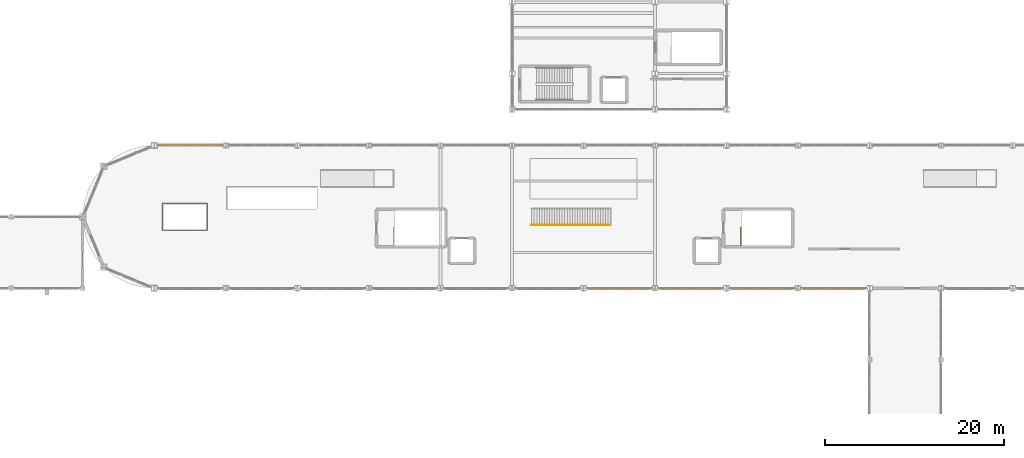
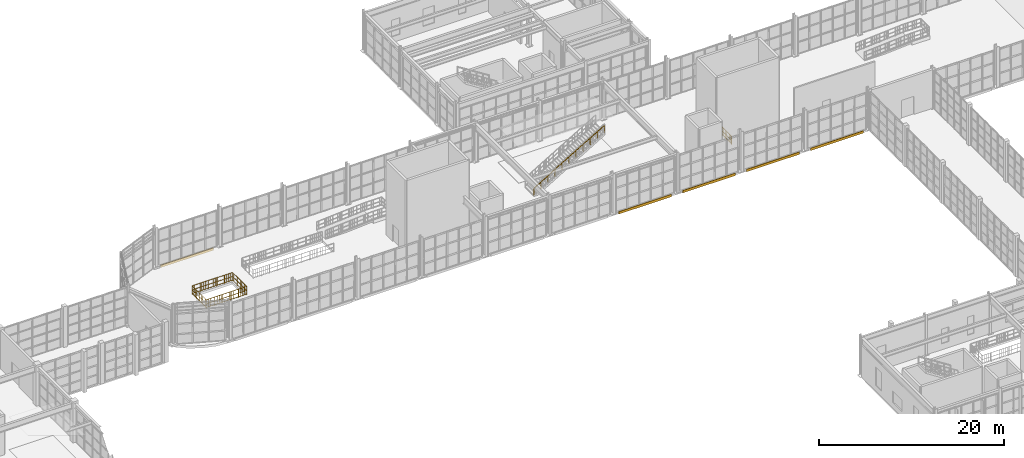
# One storey, part 78 of 82: 5 coverings, 3 railings.
"""IFC4 building model written with IfcOpenShell, lengths in metres."""

import ifcopenshell
import ifcopenshell.guid

model = None  # the IFC model being written
_history = None  # IfcOwnerHistory: only IFC2X3 demands one
_inside = {}  # id of a spatial element -> (the spatial element, [elements in it])
_under = {}  # id of a project, library or spatial element -> (it, [spatial elements below it])
_declared = {}  # id of a project -> (the project, [libraries it declares])
_typed = {}  # id of a type object -> (the type object, [elements of that type])
_made_of = {}  # id of a material, layer set ... -> (it, [elements and type objects made of it])


def new_model(schema):
    """Start an empty IFC model of exactly this schema.

    Asked for "IFC4X3", IfcOpenShell would pick the latest addendum, in which some entities
    have other attributes; the version numbers below select the first issue.
    IFC2X3 requires an IfcOwnerHistory on every rooted entity: one is made here for all.
    """
    global model, _history
    if schema == "IFC4X3":
        model = ifcopenshell.file(schema_version=(4, 3, 0, 0))
    else:
        model = ifcopenshell.file(schema=schema)
    _inside.clear()
    _under.clear()
    _declared.clear()
    _typed.clear()
    _made_of.clear()
    _history = None
    if model.schema == "IFC2X3":
        org = make("IfcOrganization", Name="unknown")
        user = make(
            "IfcPersonAndOrganization",
            ThePerson=make("IfcPerson", FamilyName="unknown"),
            TheOrganization=org,
        )
        app = make(
            "IfcApplication",
            ApplicationDeveloper=org,
            Version="unknown",
            ApplicationFullName="unknown",
            ApplicationIdentifier="unknown",
        )
        _history = make(
            "IfcOwnerHistory",
            OwningUser=user,
            OwningApplication=app,
            ChangeAction="ADDED",
            CreationDate=0,
        )
    return model


def make(cls, **values):
    """One entity of the class cls with the attributes given. An attribute that is None is left unset."""
    return model.create_entity(
        cls, **{name: value for name, value in values.items() if value is not None}
    )


def rooted(cls, **values):
    """An entity with a GlobalId (a new one), such as an element, a storey or a relation."""
    return make(cls, GlobalId=ifcopenshell.guid.new(), OwnerHistory=_history, **values)


def si_unit(unit_type, name, prefix=None):
    """IfcSIUnit, for example si_unit("LENGTHUNIT", "METRE", prefix="MILLI")."""
    return make("IfcSIUnit", UnitType=unit_type, Prefix=prefix, Name=name)


def assignment(units):
    """IfcUnitAssignment: the units of a project."""
    return None if units is None else make("IfcUnitAssignment", Units=units)


def point(xyz):
    """IfcCartesianPoint."""
    return None if xyz is None else make("IfcCartesianPoint", Coordinates=xyz)


def direction(xyz):
    """IfcDirection."""
    return None if xyz is None else make("IfcDirection", DirectionRatios=xyz)


def frame(location, z_axis=None, x_axis=None):
    """IfcAxis2Placement3D, a coordinate frame: its origin and axes. An axis left out is left unset."""
    return make(
        "IfcAxis2Placement3D",
        Location=point(location),
        Axis=direction(z_axis),
        RefDirection=direction(x_axis),
    )


def frame_2d(location, x_axis=None):
    """IfcAxis2Placement2D, a coordinate frame in the plane: its origin and x axis."""
    return make(
        "IfcAxis2Placement2D", Location=point(location), RefDirection=direction(x_axis)
    )


def origin():
    """The frame at (0, 0, 0) with its axes left unset."""
    return frame((0.0, 0.0, 0.0))


def origin_2d():
    """The frame at (0, 0) in the plane with its x axis left unset."""
    return frame_2d((0.0, 0.0))


def place(relative_to, where):
    """IfcLocalPlacement: puts the frame where relative to a parent placement (None: the world)."""
    return make(
        "IfcLocalPlacement", PlacementRelTo=relative_to, RelativePlacement=where
    )


def context(
    kind, dimensions, precision=None, world=None, true_north=None, identifier=None
):
    """IfcGeometricRepresentationContext, for example the 3D "Model" context."""
    return make(
        "IfcGeometricRepresentationContext",
        ContextIdentifier=identifier,
        ContextType=kind,
        CoordinateSpaceDimension=dimensions,
        Precision=precision,
        WorldCoordinateSystem=world,
        TrueNorth=true_north,
    )


def subcontext(parent, identifier, kind, view, scale=None):
    """IfcGeometricRepresentationSubContext, for example "Body" below "Model"."""
    return make(
        "IfcGeometricRepresentationSubContext",
        ContextIdentifier=identifier,
        ContextType=kind,
        ParentContext=parent,
        TargetScale=scale,
        TargetView=view,
    )


def project(units=None, contexts=None):
    """IfcProject with its units and contexts."""
    return rooted(
        "IfcProject",
        Name="project",
        RepresentationContexts=contexts,
        UnitsInContext=assignment(units),
    )


def spatial(cls, under=None, at=None, **own):
    """A site, building, storey or space (cls), placed at a placement, below another one or the project."""
    s = rooted(cls, ObjectPlacement=at, **own)
    if under is not None:
        _under.setdefault(under.id(), (under, []))[1].append(s)
    return s


def profile(cls, at=None, kind="AREA", **sizes):
    """A parametric profile (cls). Its sizes go by their IFC names, for example OverallWidth=200.0."""
    return make(cls, ProfileType=kind, Position=at, **sizes)


def rectangle(**sizes):
    """IfcRectangleProfileDef."""
    return profile("IfcRectangleProfileDef", **sizes)


def extrude(swept, where, along, depth):
    """IfcExtrudedAreaSolid: the profile swept, set in the frame where, extruded along a direction by depth."""
    return make(
        "IfcExtrudedAreaSolid",
        SweptArea=swept,
        Position=where,
        ExtrudedDirection=direction(along),
        Depth=depth,
    )


def shape(context_of_items, identifier, shape_type, items):
    """IfcShapeRepresentation: the items that make up one representation, for example the "Body"."""
    return make(
        "IfcShapeRepresentation",
        ContextOfItems=context_of_items,
        RepresentationIdentifier=identifier,
        RepresentationType=shape_type,
        Items=items,
    )


def material(Name=None, Category=None):
    """IfcMaterial."""
    return make("IfcMaterial", Name=Name, Category=Category)


def layer(
    of_material, thickness, ventilated=None, Name=None, Category=None, Priority=None
):
    """IfcMaterialLayer: one layer of a wall or slab, of a material (None: an air gap)."""
    return make(
        "IfcMaterialLayer",
        Material=of_material,
        LayerThickness=thickness,
        IsVentilated=ventilated,
        Name=Name,
        Category=Category,
        Priority=Priority,
    )


def layer_set(layers, Name=None):
    """IfcMaterialLayerSet."""
    return make("IfcMaterialLayerSet", MaterialLayers=layers, LayerSetName=Name)


def made_of(thing, what):
    """Note that an element or type object is made of a material, layer set ...; save() writes the relation."""
    if what is not None:
        _made_of.setdefault(what.id(), (what, []))[1].append(thing)
    return thing


def type_object(cls, material=None, **own):
    """A type object (cls), such as IfcWallType, which elements share."""
    return made_of(rooted(cls, **own), material)


def element(
    cls,
    number,
    at=None,
    inside=None,
    cuts=None,
    type_object=None,
    material=None,
    context=None,
    identifier="Body",
    shape_type=None,
    held_by="IfcProductDefinitionShape",
    body=None,
    shapes=None,
    **own,
):
    """One element of the class cls, such as IfcWall. Its Tag is "e" and its number.

    at: its placement. inside: the storey or other place that contains it. cuts: it is an
    opening in that element (IfcRelVoidsElement). A single representation is given by context,
    identifier, shape_type and body (its items); several are given by shapes. held_by: the class
    of the entity that holds the representations. save() writes the other relations.
    """
    e = rooted(cls, Tag="e%d" % number, ObjectPlacement=at, **own)
    if body is not None:
        shapes = [shape(context, identifier, shape_type, body)]
    if shapes is not None:
        e.Representation = make(held_by, Representations=shapes)
    if inside is not None:
        _inside.setdefault(inside.id(), (inside, []))[1].append(e)
    if cuts is not None:
        rooted(
            "IfcRelVoidsElement", RelatingBuildingElement=cuts, RelatedOpeningElement=e
        )
    if type_object is not None:
        _typed.setdefault(type_object.id(), (type_object, []))[1].append(e)
    return made_of(e, material)


def aggregate(whole, parts):
    """IfcRelAggregates: a whole, such as a stair, and the parts it consists of."""
    return rooted("IfcRelAggregates", RelatingObject=whole, RelatedObjects=parts)


def save(model, path):
    """Write the relations noted so far, then the file.

    IfcRelAggregates (storeys below a building ...), IfcRelContainedInSpatialStructure (elements
    in a storey), IfcRelDefinesByType, IfcRelAssociatesMaterial and IfcRelDeclares: one each for
    every whole, place, type object, material and project.
    """
    for whole, parts in _under.values():
        aggregate(whole, parts)
    for where, things in _inside.values():
        rooted(
            "IfcRelContainedInSpatialStructure",
            RelatedElements=things,
            RelatingStructure=where,
        )
    for kind, things in _typed.values():
        rooted("IfcRelDefinesByType", RelatedObjects=things, RelatingType=kind)
    for what, things in _made_of.values():
        rooted("IfcRelAssociatesMaterial", RelatedObjects=things, RelatingMaterial=what)
    for by, libraries in _declared.values():
        rooted("IfcRelDeclares", RelatingContext=by, RelatedDefinitions=libraries)
    model.write(path)


model = new_model("IFC4")

# Units and contexts
model_context = context("Model", 3, precision=1e-05, world=origin(), true_north=direction((0.0, 1.0)))
body_context = subcontext(model_context, "Body", "Model", "MODEL_VIEW")
ifc_project = project(units=[si_unit("LENGTHUNIT", "METRE"), si_unit("AREAUNIT", "SQUARE_METRE"), si_unit("VOLUMEUNIT", "CUBIC_METRE"), si_unit("PLANEANGLEUNIT", "RADIAN"), si_unit("MASSUNIT", "GRAM", prefix="KILO")], contexts=[model_context])

# Site, building, storey
site_placement = place(None, origin())
site = spatial("IfcSite", under=ifc_project, at=site_placement, CompositionType="ELEMENT")
building_placement = place(site_placement, origin())
building = spatial("IfcBuilding", under=site, at=building_placement, Name="Serraluz Foothill Cableway Terminal", CompositionType="ELEMENT")
storey_placement = place(building_placement, frame((0.0, 0.0, 9.60009765625)))
storey = spatial("IfcBuildingStorey", under=building, at=storey_placement, Name="L02", CompositionType="ELEMENT", Elevation=9.60009765625)

# Coverings
ifc_material_1 = material(Name="Fired clay masonry brick (f'm 12 MPa)", Category="masonry")
ifc_layer_1 = layer(ifc_material_1, 0.090087890625, Name="Fired clay masonry brick (f'm 12 MPa)", Category="masonry")
ifc_layer_set_1 = layer_set([ifc_layer_1], Name="Fired clay masonry brick (f'm 12 MPa)")
covering_type = type_object("IfcCoveringType", Name="TYP-COV-CLAD-90", PredefinedType="CLADDING", material=ifc_layer_set_1)
for number, where, z_axis, x_axis, name in (
    (1, (92.0, 55.969970703125, -0.3203125), (0.0, 0.0, 1.0), (1.0, 0.0, 0.0), "Terracotta Spandrel Relief Band COV-CLAD-V1S-7"),
    (2, (100.0, 55.969970703125, -0.3203125), (0.0, 0.0, 1.0), (1.0, 0.0, 0.0), "Terracotta Spandrel Relief Band COV-CLAD-V1S-8"),
    (3, (108.0, 55.969970703125, -0.3203125), (0.0, 0.0, 1.0), (1.0, 0.0, 0.0), "Terracotta Spandrel Relief Band COV-CLAD-V1S-9"),
    (4, (116.0, 55.969970703125, -0.3203125), (0.0, 0.0, 1.0), (1.0, 0.0, 0.0), "Terracotta Spandrel Relief Band COV-CLAD-V1S-10"),
    (5, (44.0, 72.030029296875, -0.3203125), (0.0, 0.0, 1.0), (1.0, 0.0, 0.0), "Terracotta Spandrel Relief Band COV-CLAD-V1N-1"),
):
    element("IfcCovering", number, at=place(storey_placement, frame(where, z_axis=z_axis, x_axis=x_axis)), inside=storey, type_object=covering_type, Name=name, PredefinedType="CLADDING", context=body_context, shape_type="SweptSolid", body=[
        extrude(rectangle(XDim=6.60009765625, YDim=0.090087890625, at=origin_2d()), origin(), (0.0, 0.0, 1.0), 0.320068359375),
    ])

# Railings
ifc_material_2 = material(Name="Steel ASTM A572 Grade 50", Category="steel")
ifc_layer_2 = layer(ifc_material_2, 0.054931640625, Name="Steel ASTM A572 Grade 50", Category="steel")
ifc_layer_set_2 = layer_set([ifc_layer_2], Name="Steel ASTM A572 Grade 50")
railing_type_1 = type_object("IfcRailingType", Name="TYP-RL-GRD-1150", PredefinedType="GUARDRAIL", material=ifc_layer_set_2)
railing_1_placement = place(storey_placement, frame((40.8798828125, 62.47998046875, 0.0)))
element("IfcRailing", 6, at=railing_1_placement, inside=storey, type_object=railing_type_1, Name="GUARDRAIL GRD-L02-SLOT1", PredefinedType="GUARDRAIL", context=body_context, shape_type="SweptSolid", body=[
    extrude(rectangle(XDim=0.048095703125, YDim=0.048095703125, at=origin_2d()), frame((0.0, 0.0, 1.1259765625), z_axis=(1.0, 0.0, 0.0), x_axis=(0.0, 1.0, 0.0)), (0.0, 0.0, 1.0), 5.0400390625),
    extrude(rectangle(XDim=0.048095703125, YDim=0.048095703125, at=origin_2d()), frame((0.0, 0.0, 0.597900390625), z_axis=(1.0, 0.0, 0.0), x_axis=(0.0, 1.0, 0.0)), (0.0, 0.0, 1.0), 5.0400390625),
    extrude(rectangle(XDim=0.048095703125, YDim=0.048095703125, at=origin_2d()), frame((0.0, 0.0, 0.1201171875), z_axis=(1.0, 0.0, 0.0), x_axis=(0.0, 1.0, 0.0)), (0.0, 0.0, 1.0), 5.0400390625),
    extrude(rectangle(XDim=0.02001953125, YDim=0.02001953125, at=origin_2d()), frame((0.239990234375, 0.0, 0.1201171875)), (0.0, 0.0, 1.0), 0.981689453125),
    extrude(rectangle(XDim=0.02001953125, YDim=0.02001953125, at=origin_2d()), frame((0.47998046875, 0.0, 0.1201171875)), (0.0, 0.0, 1.0), 0.981689453125),
    extrude(rectangle(XDim=0.02001953125, YDim=0.02001953125, at=origin_2d()), frame((0.719970703125, 0.0, 0.1201171875)), (0.0, 0.0, 1.0), 0.981689453125),
    extrude(rectangle(XDim=0.02001953125, YDim=0.02001953125, at=origin_2d()), frame((1.199951171875, 0.0, 0.1201171875)), (0.0, 0.0, 1.0), 0.981689453125),
    extrude(rectangle(XDim=0.02001953125, YDim=0.02001953125, at=origin_2d()), frame((1.43994140625, 0.0, 0.1201171875)), (0.0, 0.0, 1.0), 0.981689453125),
    extrude(rectangle(XDim=0.02001953125, YDim=0.02001953125, at=origin_2d()), frame((1.679931640625, 0.0, 0.1201171875)), (0.0, 0.0, 1.0), 0.981689453125),
    extrude(rectangle(XDim=0.02001953125, YDim=0.02001953125, at=origin_2d()), frame((1.919921875, 0.0, 0.1201171875)), (0.0, 0.0, 1.0), 0.981689453125),
    extrude(rectangle(XDim=0.02001953125, YDim=0.02001953125, at=origin_2d()), frame((2.159912109375, 0.0, 0.1201171875)), (0.0, 0.0, 1.0), 0.981689453125),
    extrude(rectangle(XDim=0.02001953125, YDim=0.02001953125, at=origin_2d()), frame((2.39990234375, 0.0, 0.1201171875)), (0.0, 0.0, 1.0), 0.981689453125),
    extrude(rectangle(XDim=0.02001953125, YDim=0.02001953125, at=origin_2d()), frame((2.64013671875, 0.0, 0.1201171875)), (0.0, 0.0, 1.0), 0.981689453125),
    extrude(rectangle(XDim=0.02001953125, YDim=0.02001953125, at=origin_2d()), frame((2.880126953125, 0.0, 0.1201171875)), (0.0, 0.0, 1.0), 0.981689453125),
    extrude(rectangle(XDim=0.02001953125, YDim=0.02001953125, at=origin_2d()), frame((3.1201171875, 0.0, 0.1201171875)), (0.0, 0.0, 1.0), 0.981689453125),
    extrude(rectangle(XDim=0.02001953125, YDim=0.02001953125, at=origin_2d()), frame((3.360107421875, 0.0, 0.1201171875)), (0.0, 0.0, 1.0), 0.981689453125),
    extrude(rectangle(XDim=0.02001953125, YDim=0.02001953125, at=origin_2d()), frame((3.60009765625, 0.0, 0.1201171875)), (0.0, 0.0, 1.0), 0.981689453125),
    extrude(rectangle(XDim=0.02001953125, YDim=0.02001953125, at=origin_2d()), frame((3.840087890625, 0.0, 0.1201171875)), (0.0, 0.0, 1.0), 0.981689453125),
    extrude(rectangle(XDim=0.02001953125, YDim=0.02001953125, at=origin_2d()), frame((4.320068359375, 0.0, 0.1201171875)), (0.0, 0.0, 1.0), 0.981689453125),
    extrude(rectangle(XDim=0.02001953125, YDim=0.02001953125, at=origin_2d()), frame((4.56005859375, 0.0, 0.1201171875)), (0.0, 0.0, 1.0), 0.981689453125),
    extrude(rectangle(XDim=0.02001953125, YDim=0.02001953125, at=origin_2d()), frame((4.800048828125, 0.0, 0.1201171875)), (0.0, 0.0, 1.0), 0.981689453125),
    extrude(rectangle(XDim=0.048095703125, YDim=0.048095703125, at=origin_2d()), frame((5.0400390625, 0.0, 1.1259765625), z_axis=(0.0, 1.0, 0.0), x_axis=(-1.0, 0.0, 0.0)), (0.0, 0.0, 1.0), 3.0400390625),
    extrude(rectangle(XDim=0.048095703125, YDim=0.048095703125, at=origin_2d()), frame((5.0400390625, 0.0, 0.597900390625), z_axis=(0.0, 1.0, 0.0), x_axis=(-1.0, 0.0, 0.0)), (0.0, 0.0, 1.0), 3.0400390625),
    extrude(rectangle(XDim=0.048095703125, YDim=0.048095703125, at=origin_2d()), frame((5.0400390625, 0.0, 0.1201171875), z_axis=(0.0, 1.0, 0.0), x_axis=(-1.0, 0.0, 0.0)), (0.0, 0.0, 1.0), 3.0400390625),
    extrude(rectangle(XDim=0.02001953125, YDim=0.02001953125, at=origin_2d()), frame((5.0400390625, 0.25341796875, 0.1201171875)), (0.0, 0.0, 1.0), 0.981689453125),
    extrude(rectangle(XDim=0.02001953125, YDim=0.02001953125, at=origin_2d()), frame((5.0400390625, 0.506591796875, 0.1201171875)), (0.0, 0.0, 1.0), 0.981689453125),
    extrude(rectangle(XDim=0.02001953125, YDim=0.02001953125, at=origin_2d()), frame((5.0400390625, 0.760009765625, 0.1201171875)), (0.0, 0.0, 1.0), 0.981689453125),
    extrude(rectangle(XDim=0.02001953125, YDim=0.02001953125, at=origin_2d()), frame((5.0400390625, 1.2666015625, 0.1201171875)), (0.0, 0.0, 1.0), 0.981689453125),
    extrude(rectangle(XDim=0.02001953125, YDim=0.02001953125, at=origin_2d()), frame((5.0400390625, 1.52001953125, 0.1201171875)), (0.0, 0.0, 1.0), 0.981689453125),
    extrude(rectangle(XDim=0.02001953125, YDim=0.02001953125, at=origin_2d()), frame((5.0400390625, 1.7734375, 0.1201171875)), (0.0, 0.0, 1.0), 0.981689453125),
    extrude(rectangle(XDim=0.02001953125, YDim=0.02001953125, at=origin_2d()), frame((5.0400390625, 2.280029296875, 0.1201171875)), (0.0, 0.0, 1.0), 0.981689453125),
    extrude(rectangle(XDim=0.02001953125, YDim=0.02001953125, at=origin_2d()), frame((5.0400390625, 2.533447265625, 0.1201171875)), (0.0, 0.0, 1.0), 0.981689453125),
    extrude(rectangle(XDim=0.02001953125, YDim=0.02001953125, at=origin_2d()), frame((5.0400390625, 2.78662109375, 0.1201171875)), (0.0, 0.0, 1.0), 0.981689453125),
    extrude(rectangle(XDim=0.048095703125, YDim=0.048095703125, at=origin_2d()), frame((5.0400390625, 3.0400390625, 1.1259765625), z_axis=(-1.0, 0.0, 0.0), x_axis=(0.0, -1.0, 0.0)), (0.0, 0.0, 1.0), 5.0400390625),
    extrude(rectangle(XDim=0.048095703125, YDim=0.048095703125, at=origin_2d()), frame((5.0400390625, 3.0400390625, 0.597900390625), z_axis=(-1.0, 0.0, 0.0), x_axis=(0.0, -1.0, 0.0)), (0.0, 0.0, 1.0), 5.0400390625),
    extrude(rectangle(XDim=0.048095703125, YDim=0.048095703125, at=origin_2d()), frame((5.0400390625, 3.0400390625, 0.1201171875), z_axis=(-1.0, 0.0, 0.0), x_axis=(0.0, -1.0, 0.0)), (0.0, 0.0, 1.0), 5.0400390625),
    extrude(rectangle(XDim=0.02001953125, YDim=0.02001953125, at=origin_2d()), frame((4.800048828125, 3.0400390625, 0.1201171875)), (0.0, 0.0, 1.0), 0.981689453125),
    extrude(rectangle(XDim=0.02001953125, YDim=0.02001953125, at=origin_2d()), frame((4.56005859375, 3.0400390625, 0.1201171875)), (0.0, 0.0, 1.0), 0.981689453125),
    extrude(rectangle(XDim=0.02001953125, YDim=0.02001953125, at=origin_2d()), frame((4.320068359375, 3.0400390625, 0.1201171875)), (0.0, 0.0, 1.0), 0.981689453125),
    extrude(rectangle(XDim=0.02001953125, YDim=0.02001953125, at=origin_2d()), frame((3.840087890625, 3.0400390625, 0.1201171875)), (0.0, 0.0, 1.0), 0.981689453125),
    extrude(rectangle(XDim=0.02001953125, YDim=0.02001953125, at=origin_2d()), frame((3.60009765625, 3.0400390625, 0.1201171875)), (0.0, 0.0, 1.0), 0.981689453125),
    extrude(rectangle(XDim=0.02001953125, YDim=0.02001953125, at=origin_2d()), frame((3.360107421875, 3.0400390625, 0.1201171875)), (0.0, 0.0, 1.0), 0.981689453125),
    extrude(rectangle(XDim=0.02001953125, YDim=0.02001953125, at=origin_2d()), frame((3.1201171875, 3.0400390625, 0.1201171875)), (0.0, 0.0, 1.0), 0.981689453125),
    extrude(rectangle(XDim=0.02001953125, YDim=0.02001953125, at=origin_2d()), frame((2.880126953125, 3.0400390625, 0.1201171875)), (0.0, 0.0, 1.0), 0.981689453125),
    extrude(rectangle(XDim=0.02001953125, YDim=0.02001953125, at=origin_2d()), frame((2.64013671875, 3.0400390625, 0.1201171875)), (0.0, 0.0, 1.0), 0.981689453125),
    extrude(rectangle(XDim=0.02001953125, YDim=0.02001953125, at=origin_2d()), frame((2.39990234375, 3.0400390625, 0.1201171875)), (0.0, 0.0, 1.0), 0.981689453125),
    extrude(rectangle(XDim=0.02001953125, YDim=0.02001953125, at=origin_2d()), frame((2.159912109375, 3.0400390625, 0.1201171875)), (0.0, 0.0, 1.0), 0.981689453125),
    extrude(rectangle(XDim=0.02001953125, YDim=0.02001953125, at=origin_2d()), frame((1.919921875, 3.0400390625, 0.1201171875)), (0.0, 0.0, 1.0), 0.981689453125),
    extrude(rectangle(XDim=0.02001953125, YDim=0.02001953125, at=origin_2d()), frame((1.679931640625, 3.0400390625, 0.1201171875)), (0.0, 0.0, 1.0), 0.981689453125),
    extrude(rectangle(XDim=0.02001953125, YDim=0.02001953125, at=origin_2d()), frame((1.43994140625, 3.0400390625, 0.1201171875)), (0.0, 0.0, 1.0), 0.981689453125),
    extrude(rectangle(XDim=0.02001953125, YDim=0.02001953125, at=origin_2d()), frame((1.199951171875, 3.0400390625, 0.1201171875)), (0.0, 0.0, 1.0), 0.981689453125),
    extrude(rectangle(XDim=0.02001953125, YDim=0.02001953125, at=origin_2d()), frame((0.719970703125, 3.0400390625, 0.1201171875)), (0.0, 0.0, 1.0), 0.981689453125),
    extrude(rectangle(XDim=0.02001953125, YDim=0.02001953125, at=origin_2d()), frame((0.47998046875, 3.0400390625, 0.1201171875)), (0.0, 0.0, 1.0), 0.981689453125),
    extrude(rectangle(XDim=0.02001953125, YDim=0.02001953125, at=origin_2d()), frame((0.239990234375, 3.0400390625, 0.1201171875)), (0.0, 0.0, 1.0), 0.981689453125),
    extrude(rectangle(XDim=0.048095703125, YDim=0.048095703125, at=origin_2d()), frame((0.0, 3.0400390625, 1.1259765625), z_axis=(0.0, -1.0, 0.0), x_axis=(1.0, 0.0, 0.0)), (0.0, 0.0, 1.0), 3.0400390625),
    extrude(rectangle(XDim=0.048095703125, YDim=0.048095703125, at=origin_2d()), frame((0.0, 3.0400390625, 0.597900390625), z_axis=(0.0, -1.0, 0.0), x_axis=(1.0, 0.0, 0.0)), (0.0, 0.0, 1.0), 3.0400390625),
    extrude(rectangle(XDim=0.048095703125, YDim=0.048095703125, at=origin_2d()), frame((0.0, 3.0400390625, 0.1201171875), z_axis=(0.0, -1.0, 0.0), x_axis=(1.0, 0.0, 0.0)), (0.0, 0.0, 1.0), 3.0400390625),
    extrude(rectangle(XDim=0.02001953125, YDim=0.02001953125, at=origin_2d()), frame((0.0, 2.78662109375, 0.1201171875)), (0.0, 0.0, 1.0), 0.981689453125),
    extrude(rectangle(XDim=0.02001953125, YDim=0.02001953125, at=origin_2d()), frame((0.0, 2.533447265625, 0.1201171875)), (0.0, 0.0, 1.0), 0.981689453125),
    extrude(rectangle(XDim=0.02001953125, YDim=0.02001953125, at=origin_2d()), frame((0.0, 2.280029296875, 0.1201171875)), (0.0, 0.0, 1.0), 0.981689453125),
    extrude(rectangle(XDim=0.02001953125, YDim=0.02001953125, at=origin_2d()), frame((0.0, 1.7734375, 0.1201171875)), (0.0, 0.0, 1.0), 0.981689453125),
    extrude(rectangle(XDim=0.02001953125, YDim=0.02001953125, at=origin_2d()), frame((0.0, 1.52001953125, 0.1201171875)), (0.0, 0.0, 1.0), 0.981689453125),
    extrude(rectangle(XDim=0.02001953125, YDim=0.02001953125, at=origin_2d()), frame((0.0, 1.2666015625, 0.1201171875)), (0.0, 0.0, 1.0), 0.981689453125),
    extrude(rectangle(XDim=0.02001953125, YDim=0.02001953125, at=origin_2d()), frame((0.0, 0.760009765625, 0.1201171875)), (0.0, 0.0, 1.0), 0.981689453125),
    extrude(rectangle(XDim=0.02001953125, YDim=0.02001953125, at=origin_2d()), frame((0.0, 0.506591796875, 0.1201171875)), (0.0, 0.0, 1.0), 0.981689453125),
    extrude(rectangle(XDim=0.02001953125, YDim=0.02001953125, at=origin_2d()), frame((0.0, 0.25341796875, 0.1201171875)), (0.0, 0.0, 1.0), 0.981689453125),
    extrude(rectangle(XDim=0.0439453125, YDim=0.0439453125, at=origin_2d()), origin(), (0.0, 0.0, 1.0), 1.101806640625),
    extrude(rectangle(XDim=0.0439453125, YDim=0.0439453125, at=origin_2d()), frame((1.008056640625, 0.0, 0.0)), (0.0, 0.0, 1.0), 1.101806640625),
    extrude(rectangle(XDim=0.0439453125, YDim=0.0439453125, at=origin_2d()), frame((2.01611328125, 0.0, 0.0)), (0.0, 0.0, 1.0), 1.101806640625),
    extrude(rectangle(XDim=0.0439453125, YDim=0.0439453125, at=origin_2d()), frame((3.02392578125, 0.0, 0.0)), (0.0, 0.0, 1.0), 1.101806640625),
    extrude(rectangle(XDim=0.0439453125, YDim=0.0439453125, at=origin_2d()), frame((4.031982421875, 0.0, 0.0)), (0.0, 0.0, 1.0), 1.101806640625),
    extrude(rectangle(XDim=0.0439453125, YDim=0.0439453125, at=origin_2d()), frame((5.0400390625, 0.0, 0.0)), (0.0, 0.0, 1.0), 1.101806640625),
    extrude(rectangle(XDim=0.0439453125, YDim=0.0439453125, at=origin_2d()), frame((5.0400390625, 1.013427734375, 0.0)), (0.0, 0.0, 1.0), 1.101806640625),
    extrude(rectangle(XDim=0.0439453125, YDim=0.0439453125, at=origin_2d()), frame((5.0400390625, 2.026611328125, 0.0)), (0.0, 0.0, 1.0), 1.101806640625),
    extrude(rectangle(XDim=0.0439453125, YDim=0.0439453125, at=origin_2d()), frame((5.0400390625, 3.0400390625, 0.0)), (0.0, 0.0, 1.0), 1.101806640625),
    extrude(rectangle(XDim=0.0439453125, YDim=0.0439453125, at=origin_2d()), frame((4.031982421875, 3.0400390625, 0.0)), (0.0, 0.0, 1.0), 1.101806640625),
    extrude(rectangle(XDim=0.0439453125, YDim=0.0439453125, at=origin_2d()), frame((3.02392578125, 3.0400390625, 0.0)), (0.0, 0.0, 1.0), 1.101806640625),
    extrude(rectangle(XDim=0.0439453125, YDim=0.0439453125, at=origin_2d()), frame((2.01611328125, 3.0400390625, 0.0)), (0.0, 0.0, 1.0), 1.101806640625),
    extrude(rectangle(XDim=0.0439453125, YDim=0.0439453125, at=origin_2d()), frame((1.008056640625, 3.0400390625, 0.0)), (0.0, 0.0, 1.0), 1.101806640625),
    extrude(rectangle(XDim=0.0439453125, YDim=0.0439453125, at=origin_2d()), frame((0.0, 3.0400390625, 0.0)), (0.0, 0.0, 1.0), 1.101806640625),
    extrude(rectangle(XDim=0.0439453125, YDim=0.0439453125, at=origin_2d()), frame((0.0, 2.026611328125, 0.0)), (0.0, 0.0, 1.0), 1.101806640625),
    extrude(rectangle(XDim=0.0439453125, YDim=0.0439453125, at=origin_2d()), frame((0.0, 1.013427734375, 0.0)), (0.0, 0.0, 1.0), 1.101806640625),
])
railing_2_placement = place(storey_placement, frame((105.610107421875, 60.800048828125, 0.0)))
element("IfcRailing", 7, at=railing_2_placement, inside=storey, type_object=railing_type_1, Name="L02 ST-04 top well guard 1", PredefinedType="GUARDRAIL", context=body_context, shape_type="SweptSolid", body=[
    extrude(rectangle(XDim=0.048095703125, YDim=0.048095703125, at=origin_2d()), frame((0.0, 0.0, 1.1259765625), z_axis=(0.0, 1.0, 0.0), x_axis=(-1.0, 0.0, 0.0)), (0.0, 0.0, 1.0), 2.02001953125),
    extrude(rectangle(XDim=0.048095703125, YDim=0.048095703125, at=origin_2d()), frame((0.0, 0.0, 0.597900390625), z_axis=(0.0, 1.0, 0.0), x_axis=(-1.0, 0.0, 0.0)), (0.0, 0.0, 1.0), 2.02001953125),
    extrude(rectangle(XDim=0.048095703125, YDim=0.048095703125, at=origin_2d()), frame((0.0, 0.0, 0.1201171875), z_axis=(0.0, 1.0, 0.0), x_axis=(-1.0, 0.0, 0.0)), (0.0, 0.0, 1.0), 2.02001953125),
    extrude(rectangle(XDim=0.02001953125, YDim=0.02001953125, at=origin_2d()), frame((0.0, 0.25244140625, 0.1201171875)), (0.0, 0.0, 1.0), 0.981689453125),
    extrude(rectangle(XDim=0.02001953125, YDim=0.02001953125, at=origin_2d()), frame((0.0, 0.5048828125, 0.1201171875)), (0.0, 0.0, 1.0), 0.981689453125),
    extrude(rectangle(XDim=0.02001953125, YDim=0.02001953125, at=origin_2d()), frame((0.0, 0.757568359375, 0.1201171875)), (0.0, 0.0, 1.0), 0.981689453125),
    extrude(rectangle(XDim=0.02001953125, YDim=0.02001953125, at=origin_2d()), frame((0.0, 1.262451171875, 0.1201171875)), (0.0, 0.0, 1.0), 0.981689453125),
    extrude(rectangle(XDim=0.02001953125, YDim=0.02001953125, at=origin_2d()), frame((0.0, 1.51513671875, 0.1201171875)), (0.0, 0.0, 1.0), 0.981689453125),
    extrude(rectangle(XDim=0.02001953125, YDim=0.02001953125, at=origin_2d()), frame((0.0, 1.767578125, 0.1201171875)), (0.0, 0.0, 1.0), 0.981689453125),
    extrude(rectangle(XDim=0.0439453125, YDim=0.0439453125, at=origin_2d()), origin(), (0.0, 0.0, 1.0), 1.101806640625),
    extrude(rectangle(XDim=0.0439453125, YDim=0.0439453125, at=origin_2d()), frame((0.0, 1.010009765625, 0.0)), (0.0, 0.0, 1.0), 1.101806640625),
    extrude(rectangle(XDim=0.0439453125, YDim=0.0439453125, at=origin_2d()), frame((0.0, 2.02001953125, 0.0)), (0.0, 0.0, 1.0), 1.101806640625),
])
ifc_material_3 = material(Name="Architectural bronze alloy C28000", Category="aluminium")
ifc_layer_3 = layer(ifc_material_3, 0.048095703125, Name="Architectural bronze alloy C28000", Category="aluminium")
ifc_layer_set_3 = layer_set([ifc_layer_3], Name="Architectural bronze alloy C28000")
railing_type_2 = type_object("IfcRailingType", Name="TYP-RL-HND-920", PredefinedType="HANDRAIL", material=ifc_layer_set_3)
railing_3_placement = place(storey_placement, frame((82.199951171875, 63.080078125, 0.168701171875)))
element("IfcRailing", 8, at=railing_3_placement, inside=storey, type_object=railing_type_2, Name="HANDRAIL ST-F03", PredefinedType="HANDRAIL", context=body_context, shape_type="SweptSolid", body=[
    extrude(rectangle(XDim=0.048095703125, YDim=0.048095703125, at=origin_2d()), frame((0.0, 0.0, 0.8759765625), z_axis=(0.860099270973, 0.0, 0.510126694138), x_axis=(0.0, 1.0, 0.0)), (0.0, 0.0, 1.0), 10.254638671875),
    extrude(rectangle(XDim=0.0439453125, YDim=0.0439453125, at=origin_2d()), origin(), (0.0, 0.0, 1.0), 0.851806640625),
    extrude(rectangle(XDim=0.0439453125, YDim=0.0439453125, at=origin_2d()), frame((0.882080078125, 0.0, 0.523193359375)), (0.0, 0.0, 1.0), 0.851806640625),
    extrude(rectangle(XDim=0.0439453125, YDim=0.0439453125, at=origin_2d()), frame((1.763916015625, 0.0, 1.046142578125)), (0.0, 0.0, 1.0), 0.851806640625),
    extrude(rectangle(XDim=0.0439453125, YDim=0.0439453125, at=origin_2d()), frame((2.64599609375, 0.0, 1.5693359375)), (0.0, 0.0, 1.0), 0.851806640625),
    extrude(rectangle(XDim=0.0439453125, YDim=0.0439453125, at=origin_2d()), frame((3.528076171875, 0.0, 2.092529296875)), (0.0, 0.0, 1.0), 0.851806640625),
    extrude(rectangle(XDim=0.0439453125, YDim=0.0439453125, at=origin_2d()), frame((4.41015625, 0.0, 2.61572265625)), (0.0, 0.0, 1.0), 0.851806640625),
    extrude(rectangle(XDim=0.0439453125, YDim=0.0439453125, at=origin_2d()), frame((5.2919921875, 0.0, 3.138671875)), (0.0, 0.0, 1.0), 0.851806640625),
    extrude(rectangle(XDim=0.0439453125, YDim=0.0439453125, at=origin_2d()), frame((6.174072265625, 0.0, 3.661865234375)), (0.0, 0.0, 1.0), 0.851806640625),
    extrude(rectangle(XDim=0.0439453125, YDim=0.0439453125, at=origin_2d()), frame((7.05615234375, 0.0, 4.18505859375)), (0.0, 0.0, 1.0), 0.851806640625),
    extrude(rectangle(XDim=0.0439453125, YDim=0.0439453125, at=origin_2d()), frame((7.93798828125, 0.0, 4.7080078125)), (0.0, 0.0, 1.0), 0.851806640625),
    extrude(rectangle(XDim=0.0439453125, YDim=0.0439453125, at=origin_2d()), frame((8.820068359375, 0.0, 5.231201171875)), (0.0, 0.0, 1.0), 0.851806640625),
])

save(model, "model.ifc")
